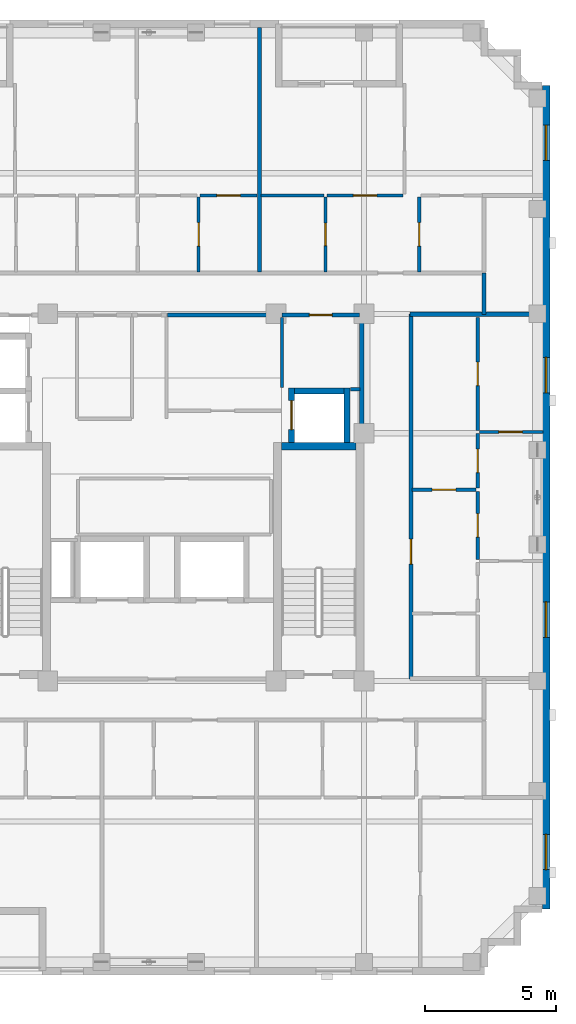
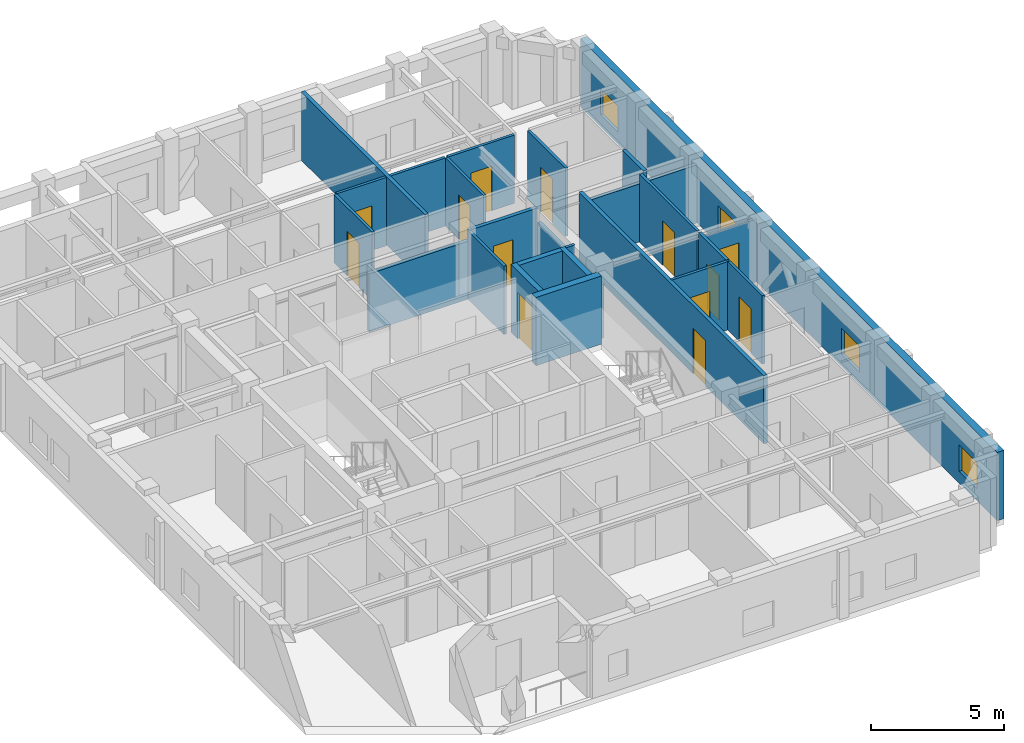
# One storey, part 6 of 11: 25 walls, 13 doors, 4 windows, 17 openings.
"""IFC4 building model written with IfcOpenShell, lengths in metres."""

from ifc_helpers import new_model, si_unit, derived_unit, direction, frame, frame_2d, origin, place, context, subcontext, project, spatial, rectangle, extrude, material, layer, layer_set, type_object, element, fill, save


model = new_model("IFC4")

# Units and contexts
model_context = context("Model", 3, precision=1e-05, world=origin(), true_north=direction((0.0, 1.0)))
body_context = subcontext(model_context, "Body", "Model", "MODEL_VIEW")
ifc_project = project(units=[si_unit("LENGTHUNIT", "METRE"), si_unit("AREAUNIT", "SQUARE_METRE"), si_unit("VOLUMEUNIT", "CUBIC_METRE"), si_unit("PLANEANGLEUNIT", "RADIAN"), si_unit("MASSUNIT", "GRAM", prefix="KILO"), derived_unit("THERMALTRANSMITTANCEUNIT", [(si_unit("MASSUNIT", "GRAM", prefix="KILO"), 1), (si_unit("TIMEUNIT", "SECOND"), -3), (si_unit("THERMODYNAMICTEMPERATUREUNIT", "KELVIN"), -1)])], contexts=[model_context])

# Site, building, storey
site_placement = place(None, origin())
site = spatial("IfcSite", under=ifc_project, at=site_placement, CompositionType="ELEMENT")
building_placement = place(site_placement, origin())
building = spatial("IfcBuilding", under=site, at=building_placement, Name="Korrvale Station Residences", CompositionType="ELEMENT")
storey_placement = place(building_placement, frame((0.0, 0.0, 247.89990234375)))
storey = spatial("IfcBuildingStorey", under=building, at=storey_placement, Name="L72", CompositionType="ELEMENT", Elevation=247.89990234375)

# Wall
ifc_material_1 = material(Name="Concrete C50/60", Category="concrete")
ifc_layer_1 = layer(ifc_material_1, 0.300048828125, Name="Concrete C50/60")
ifc_layer_set_1 = layer_set([ifc_layer_1], Name="Concrete C50/60")
wall_type_1 = type_object("IfcWallType", Name="WAL-CORE-300-C50", PredefinedType="SHEAR", material=ifc_layer_set_1)
wall_1_placement = place(storey_placement, frame((30.050048828125, 23.949951171875, 0.0), z_axis=(0.0, 0.0, 1.0), x_axis=(1.0, 0.0, 0.0)))
element("IfcWall", 1, at=wall_1_placement, inside=storey, type_object=wall_type_1, Name="L72 ST-2 Core Shear Wall North", PredefinedType="SHEAR", context=body_context, shape_type="SweptSolid", body=[
    extrude(rectangle(XDim=2.849853515625, YDim=0.300048828125, at=frame_2d((1.4248046875, 0.0))), origin(), (0.0, 0.0, 1.0), 3.14013671875),
])

# Wall, openings, windows
ifc_material_2 = material(Name="Precast concrete C45/55", Category="concrete")
ifc_layer_2 = layer(ifc_material_2, 0.300048828125, Name="Precast concrete C45/55")
ifc_layer_set_2 = layer_set([ifc_layer_2], Name="Precast concrete C45/55")
wall_type_2 = type_object("IfcWallType", Name="WAL-EXT-PC300", PredefinedType="SOLIDWALL", material=ifc_layer_set_2)
wall_2_placement = place(storey_placement, frame((40.14990234375, 37.699951171875, 0.0), z_axis=(0.0, 0.0, 1.0), x_axis=(0.0, -1.0, 0.0)))
wall_2 = element("IfcWall", 2, at=wall_2_placement, inside=storey, type_object=wall_type_2, Name="L72 East Exterior Precast Wall 1", PredefinedType="SOLIDWALL", context=body_context, shape_type="SweptSolid", body=[
    extrude(rectangle(XDim=31.39990234375, YDim=0.300048828125, at=frame_2d((15.699951171875, 0.0))), origin(), (0.0, 0.0, 1.0), 3.14013671875),
])
opening_1_placement = place(wall_2_placement, frame((28.5458984375, 0.0, 0.550048828125)))
opening_1 = element("IfcOpeningElement", 3, at=opening_1_placement, cuts=wall_2, Name="Opening W-10", PredefinedType="OPENING", context=body_context, shape_type="SweptSolid", body=[
    extrude(rectangle(XDim=1.35009765625, YDim=1.199951171875, at=frame_2d((0.675048828125, 0.60009765625))), frame((0.0, 0.16015625, 0.0), z_axis=(0.0, -1.0, 0.0), x_axis=(1.0, 0.0, 0.0)), (0.0, 0.0, 1.0), 0.320068359375),
])
opening_2_placement = place(wall_2_placement, frame((1.50390625, 0.0, 0.550048828125)))
opening_2 = element("IfcOpeningElement", 4, at=opening_2_placement, cuts=wall_2, Name="Opening W-10", PredefinedType="OPENING", context=body_context, shape_type="SweptSolid", body=[
    extrude(rectangle(XDim=1.35009765625, YDim=1.199951171875, at=frame_2d((0.675048828125, 0.60009765625))), frame((0.0, 0.16015625, 0.0), z_axis=(0.0, -1.0, 0.0), x_axis=(1.0, 0.0, 0.0)), (0.0, 0.0, 1.0), 0.320068359375),
])
opening_3_placement = place(wall_2_placement, frame((19.68310546875, 0.0, 0.550048828125)))
opening_3 = element("IfcOpeningElement", 5, at=opening_3_placement, cuts=wall_2, Name="Opening W-10", PredefinedType="OPENING", context=body_context, shape_type="SweptSolid", body=[
    extrude(rectangle(XDim=1.35009765625, YDim=1.199951171875, at=frame_2d((0.675048828125, 0.60009765625))), frame((0.0, 0.16015625, 0.0), z_axis=(0.0, -1.0, 0.0), x_axis=(1.0, 0.0, 0.0)), (0.0, 0.0, 1.0), 0.320068359375),
])
opening_4_placement = place(wall_2_placement, frame((10.366943359375, 0.0, 0.550048828125)))
opening_4 = element("IfcOpeningElement", 6, at=opening_4_placement, cuts=wall_2, Name="Opening W-10", PredefinedType="OPENING", context=body_context, shape_type="SweptSolid", body=[
    extrude(rectangle(XDim=1.35009765625, YDim=1.199951171875, at=frame_2d((0.675048828125, 0.60009765625))), frame((0.0, 0.16015625, 0.0), z_axis=(0.0, -1.0, 0.0), x_axis=(1.0, 0.0, 0.0)), (0.0, 0.0, 1.0), 0.320068359375),
])
ifc_material_3 = material(Name="Thermally broken aluminium frame with triple low-e glazing", Category="aluminium")
window_type = type_object("IfcWindowType", Name="WIN-W10", PartitioningType="SINGLE_PANEL", PredefinedType="WINDOW", material=ifc_material_3)
window_1_placement = place(opening_1_placement, origin())
window_1 = element("IfcWindow", 7, at=window_1_placement, inside=storey, type_object=window_type, Name="L72 Punched Window 05", OverallHeight=1.199951171875, OverallWidth=1.35009765625, PartitioningType="SINGLE_PANEL", PredefinedType="WINDOW", context=body_context, shape_type="SweptSolid", body=[
    extrude(rectangle(XDim=1.35009765625, YDim=1.199951171875, at=frame_2d((0.675048828125, 0.60009765625))), frame((0.0, 0.030029296875, 0.0), z_axis=(0.0, -1.0, 0.0), x_axis=(1.0, 0.0, 0.0)), (0.0, 0.0, 1.0), 0.06005859375),
])
fill(opening_1, window_1)
window_2_placement = place(opening_2_placement, origin())
window_2 = element("IfcWindow", 8, at=window_2_placement, inside=storey, type_object=window_type, Name="L72 Punched Window 11", OverallHeight=1.199951171875, OverallWidth=1.35009765625, PartitioningType="SINGLE_PANEL", PredefinedType="WINDOW", context=body_context, shape_type="SweptSolid", body=[
    extrude(rectangle(XDim=1.35009765625, YDim=1.199951171875, at=frame_2d((0.675048828125, 0.60009765625))), frame((0.0, 0.030029296875, 0.0), z_axis=(0.0, -1.0, 0.0), x_axis=(1.0, 0.0, 0.0)), (0.0, 0.0, 1.0), 0.06005859375),
])
fill(opening_2, window_2)
window_3_placement = place(opening_3_placement, origin())
window_3 = element("IfcWindow", 9, at=window_3_placement, inside=storey, type_object=window_type, Name="L72 Punched Window 16", OverallHeight=1.199951171875, OverallWidth=1.35009765625, PartitioningType="SINGLE_PANEL", PredefinedType="WINDOW", context=body_context, shape_type="SweptSolid", body=[
    extrude(rectangle(XDim=1.35009765625, YDim=1.199951171875, at=frame_2d((0.675048828125, 0.60009765625))), frame((0.0, 0.030029296875, 0.0), z_axis=(0.0, -1.0, 0.0), x_axis=(1.0, 0.0, 0.0)), (0.0, 0.0, 1.0), 0.06005859375),
])
fill(opening_3, window_3)
window_4_placement = place(opening_4_placement, origin())
window_4 = element("IfcWindow", 10, at=window_4_placement, inside=storey, type_object=window_type, Name="L72 Punched Window 17", OverallHeight=1.199951171875, OverallWidth=1.35009765625, PartitioningType="SINGLE_PANEL", PredefinedType="WINDOW", context=body_context, shape_type="SweptSolid", body=[
    extrude(rectangle(XDim=1.35009765625, YDim=1.199951171875, at=frame_2d((0.675048828125, 0.60009765625))), frame((0.0, 0.030029296875, 0.0), z_axis=(0.0, -1.0, 0.0), x_axis=(1.0, 0.0, 0.0)), (0.0, 0.0, 1.0), 0.06005859375),
])
fill(opening_4, window_4)

# Walls
ifc_material_4 = material(Name="Acoustic steel-stud gypsum board partition", Category="steel")
ifc_layer_3 = layer(ifc_material_4, 0.1201171875, Name="Acoustic steel-stud gypsum board partition")
ifc_layer_set_3 = layer_set([ifc_layer_3], Name="Acoustic steel-stud gypsum board partition")
wall_type_3 = type_object("IfcWallType", Name="WAL-PART-125", PredefinedType="PARTITIONING", material=ifc_layer_set_3)
wall_3_placement = place(storey_placement, frame((30.080078125, 26.179931640625, 0.0), z_axis=(0.0, 0.0, 1.0), x_axis=(0.0, 1.0, 0.0)))
element("IfcWall", 11, at=wall_3_placement, inside=storey, type_object=wall_type_3, Name="L72 Core Partition CW-CS-W", PredefinedType="PARTITIONING", context=body_context, shape_type="SweptSolid", body=[
    extrude(rectangle(XDim=2.68017578125, YDim=0.1201171875, at=frame_2d((1.340087890625, 0.0))), origin(), (0.0, 0.0, 1.0), 3.14013671875),
])
wall_4_placement = place(storey_placement, frame((32.679931640625, 26.1201171875, 0.0), z_axis=(0.0, 0.0, 1.0), x_axis=(1.0, 0.0, 0.0)))
element("IfcWall", 12, at=wall_4_placement, inside=storey, type_object=wall_type_3, Name="L72 Core Partition CW-CS-S", PredefinedType="PARTITIONING", context=body_context, shape_type="SweptSolid", body=[
    extrude(rectangle(XDim=0.380126953125, YDim=0.1201171875, at=frame_2d((0.18994140625, 0.0))), origin(), (0.0, 0.0, 1.0), 3.14013671875),
])

# Wall, opening, door
wall_5_placement = place(storey_placement, frame((26.89990234375, 30.60009765625, 0.0), z_axis=(0.0, 0.0, 1.0), x_axis=(0.0, 1.0, 0.0)))
wall_5 = element("IfcWall", 13, at=wall_5_placement, inside=storey, type_object=wall_type_3, Name="L72 Suite Partition U04-V45", PredefinedType="PARTITIONING", context=body_context, shape_type="SweptSolid", body=[
    extrude(rectangle(XDim=2.849853515625, YDim=0.1201171875, at=frame_2d((1.4248046875, 0.0))), origin(), (0.0, 0.0, 1.0), 3.14013671875),
])
opening_5_placement = place(wall_5_placement, frame((0.97509765625, 0.0, 0.0)))
opening_5 = element("IfcOpeningElement", 14, at=opening_5_placement, cuts=wall_5, Name="Opening DI-900", PredefinedType="OPENING", context=body_context, shape_type="SweptSolid", body=[
    extrude(rectangle(XDim=0.89990234375, YDim=2.050048828125, at=frame_2d((0.449951171875, 1.02490234375))), frame((0.0, 0.070068359375, 0.0), z_axis=(0.0, -1.0, 0.0), x_axis=(1.0, 0.0, 0.0)), (0.0, 0.0, 1.0), 0.14013671875),
])
ifc_material_5 = material(Name="Painted solid-core timber interior room door", Category="wood")
door_type_1 = type_object("IfcDoorType", Name="DR-INT-900", OperationType="NOTDEFINED", PredefinedType="DOOR", material=ifc_material_5)
door_1_placement = place(opening_5_placement, origin())
door_1 = element("IfcDoor", 15, at=door_1_placement, inside=storey, type_object=door_type_1, Name="L72 Apartment 2BR L72-U04 Wardrobe Storage Room Door", OperationType="SINGLE_SWING_LEFT", OverallHeight=2.050048828125, OverallWidth=0.89990234375, PredefinedType="DOOR", context=body_context, shape_type="SweptSolid", body=[
    extrude(rectangle(XDim=0.89990234375, YDim=2.050048828125, at=frame_2d((0.449951171875, 1.02490234375))), frame((0.0, 0.02490234375, 0.0), z_axis=(0.0, -1.0, 0.0), x_axis=(1.0, 0.0, 0.0)), (0.0, 0.0, 1.0), 0.050048828125),
])
fill(opening_5, door_1)

wall_6_placement = place(storey_placement, frame((26.9599609375, 33.510009765625, 0.0), z_axis=(0.0, 0.0, 1.0), x_axis=(1.0, 0.0, 0.0)))
wall_6 = element("IfcWall", 16, at=wall_6_placement, inside=storey, type_object=wall_type_3, Name="L72 Suite Partition U04-H59", PredefinedType="PARTITIONING", context=body_context, shape_type="SweptSolid", body=[
    extrude(rectangle(XDim=2.16015625, YDim=0.1201171875, at=frame_2d((1.080078125, 0.0))), origin(), (0.0, 0.0, 1.0), 3.14013671875),
])
opening_6_placement = place(wall_6_placement, frame((0.6298828125, 0.0, 0.0)))
opening_6 = element("IfcOpeningElement", 17, at=opening_6_placement, cuts=wall_6, Name="Opening DI-900", PredefinedType="OPENING", context=body_context, shape_type="SweptSolid", body=[
    extrude(rectangle(XDim=0.89990234375, YDim=2.050048828125, at=frame_2d((0.449951171875, 1.02490234375))), frame((0.0, 0.070068359375, 0.0), z_axis=(0.0, -1.0, 0.0), x_axis=(1.0, 0.0, 0.0)), (0.0, 0.0, 1.0), 0.14013671875),
])
door_2_placement = place(opening_6_placement, origin())
door_2 = element("IfcDoor", 18, at=door_2_placement, inside=storey, type_object=door_type_1, Name="L72 Apartment 2BR L72-U04 Utility and Laundry Room Door", OperationType="SINGLE_SWING_LEFT", OverallHeight=2.050048828125, OverallWidth=0.89990234375, PredefinedType="DOOR", context=body_context, shape_type="SweptSolid", body=[
    extrude(rectangle(XDim=0.89990234375, YDim=2.050048828125, at=frame_2d((0.449951171875, 1.02490234375))), frame((0.0, 0.02490234375, 0.0), z_axis=(0.0, -1.0, 0.0), x_axis=(1.0, 0.0, 0.0)), (0.0, 0.0, 1.0), 0.050048828125),
])
fill(opening_6, door_2)

wall_7_placement = place(storey_placement, frame((31.739990234375, 30.60009765625, 0.0), z_axis=(0.0, 0.0, 1.0), x_axis=(0.0, 1.0, 0.0)))
wall_7 = element("IfcWall", 19, at=wall_7_placement, inside=storey, type_object=wall_type_3, Name="L72 Suite Partition U05-V01", PredefinedType="PARTITIONING", context=body_context, shape_type="SweptSolid", body=[
    extrude(rectangle(XDim=2.849853515625, YDim=0.1201171875, at=frame_2d((1.4248046875, 0.0))), origin(), (0.0, 0.0, 1.0), 3.14013671875),
])
opening_7_placement = place(wall_7_placement, frame((0.9951171875, 0.0, 0.0)))
opening_7 = element("IfcOpeningElement", 20, at=opening_7_placement, cuts=wall_7, Name="Opening DB-860", PredefinedType="OPENING", context=body_context, shape_type="SweptSolid", body=[
    extrude(rectangle(XDim=0.860107421875, YDim=2.050048828125, at=frame_2d((0.43017578125, 1.02490234375))), frame((0.0, 0.070068359375, 0.0), z_axis=(0.0, -1.0, 0.0), x_axis=(1.0, 0.0, 0.0)), (0.0, 0.0, 1.0), 0.14013671875),
])
ifc_material_6 = material(Name="Moisture-resistant solid-core bathroom door", Category="timber")
door_type_2 = type_object("IfcDoorType", Name="DR-BATH-860", OperationType="NOTDEFINED", PredefinedType="DOOR", material=ifc_material_6)
door_3_placement = place(opening_7_placement, origin())
door_3 = element("IfcDoor", 21, at=door_3_placement, inside=storey, type_object=door_type_2, Name="L72 Apartment 1BR L72-U05 Bathroom Door", OperationType="SINGLE_SWING_LEFT", OverallHeight=2.050048828125, OverallWidth=0.860107421875, PredefinedType="DOOR", context=body_context, shape_type="SweptSolid", body=[
    extrude(rectangle(XDim=0.860107421875, YDim=2.050048828125, at=frame_2d((0.43017578125, 1.02490234375))), frame((0.0, 0.02490234375, 0.0), z_axis=(0.0, -1.0, 0.0), x_axis=(1.0, 0.0, 0.0)), (0.0, 0.0, 1.0), 0.050048828125),
])
fill(opening_7, door_3)

# Wall
wall_8_placement = place(storey_placement, frame((29.280029296875, 33.510009765625, 0.0), z_axis=(0.0, 0.0, 1.0), x_axis=(1.0, 0.0, 0.0)))
element("IfcWall", 22, at=wall_8_placement, inside=storey, type_object=wall_type_3, Name="L72 Suite Partition U05-H03", PredefinedType="PARTITIONING", context=body_context, shape_type="SweptSolid", body=[
    extrude(rectangle(XDim=2.39990234375, YDim=0.1201171875, at=frame_2d((1.199951171875, 0.0))), origin(), (0.0, 0.0, 1.0), 3.14013671875),
])

# Wall, opening, door
wall_9_placement = place(storey_placement, frame((35.31005859375, 30.60009765625, 0.0), z_axis=(0.0, 0.0, 1.0), x_axis=(0.0, 1.0, 0.0)))
wall_9 = element("IfcWall", 23, at=wall_9_placement, inside=storey, type_object=wall_type_3, Name="L72 Suite Partition U05-V12", PredefinedType="PARTITIONING", context=body_context, shape_type="SweptSolid", body=[
    extrude(rectangle(XDim=2.849853515625, YDim=0.1201171875, at=frame_2d((1.4248046875, 0.0))), origin(), (0.0, 0.0, 1.0), 3.14013671875),
])
opening_8_placement = place(wall_9_placement, frame((0.97509765625, 0.0, 0.0)))
opening_8 = element("IfcOpeningElement", 24, at=opening_8_placement, cuts=wall_9, Name="Opening DI-900", PredefinedType="OPENING", context=body_context, shape_type="SweptSolid", body=[
    extrude(rectangle(XDim=0.89990234375, YDim=2.050048828125, at=frame_2d((0.449951171875, 1.02490234375))), frame((0.0, 0.070068359375, 0.0), z_axis=(0.0, -1.0, 0.0), x_axis=(1.0, 0.0, 0.0)), (0.0, 0.0, 1.0), 0.14013671875),
])
door_4_placement = place(opening_8_placement, origin())
door_4 = element("IfcDoor", 25, at=door_4_placement, inside=storey, type_object=door_type_1, Name="L72 Apartment 1BR L72-U05 Kitchen Door", OperationType="SINGLE_SWING_RIGHT", OverallHeight=2.050048828125, OverallWidth=0.89990234375, PredefinedType="DOOR", context=body_context, shape_type="SweptSolid", body=[
    extrude(rectangle(XDim=0.89990234375, YDim=2.050048828125, at=frame_2d((0.449951171875, 1.02490234375))), frame((0.0, 0.02490234375, 0.0), z_axis=(0.0, -1.0, 0.0), x_axis=(1.0, 0.0, 0.0)), (0.0, 0.0, 1.0), 0.050048828125),
])
fill(opening_8, door_4)

wall_10_placement = place(storey_placement, frame((31.800048828125, 33.510009765625, 0.0), z_axis=(0.0, 0.0, 1.0), x_axis=(1.0, 0.0, 0.0)))
wall_10 = element("IfcWall", 26, at=wall_10_placement, inside=storey, type_object=wall_type_3, Name="L72 Suite Partition U05-H13", PredefinedType="PARTITIONING", context=body_context, shape_type="SweptSolid", body=[
    extrude(rectangle(XDim=2.889892578125, YDim=0.1201171875, at=frame_2d((1.44482421875, 0.0))), origin(), (0.0, 0.0, 1.0), 3.14013671875),
])
opening_9_placement = place(wall_10_placement, frame((0.9951171875, 0.0, 0.0)))
opening_9 = element("IfcOpeningElement", 27, at=opening_9_placement, cuts=wall_10, Name="Opening DI-900", PredefinedType="OPENING", context=body_context, shape_type="SweptSolid", body=[
    extrude(rectangle(XDim=0.89990234375, YDim=2.050048828125, at=frame_2d((0.449951171875, 1.02490234375))), frame((0.0, 0.070068359375, 0.0), z_axis=(0.0, -1.0, 0.0), x_axis=(1.0, 0.0, 0.0)), (0.0, 0.0, 1.0), 0.14013671875),
])
door_5_placement = place(opening_9_placement, origin())
door_5 = element("IfcDoor", 28, at=door_5_placement, inside=storey, type_object=door_type_1, Name="L72 Apartment 1BR L72-U05 Kitchen Door", OperationType="SINGLE_SWING_LEFT", OverallHeight=2.050048828125, OverallWidth=0.89990234375, PredefinedType="DOOR", context=body_context, shape_type="SweptSolid", body=[
    extrude(rectangle(XDim=0.89990234375, YDim=2.050048828125, at=frame_2d((0.449951171875, 1.02490234375))), frame((0.0, 0.02490234375, 0.0), z_axis=(0.0, -1.0, 0.0), x_axis=(1.0, 0.0, 0.0)), (0.0, 0.0, 1.0), 0.050048828125),
])
fill(opening_9, door_5)

wall_11_placement = place(storey_placement, frame((35.030029296875, 22.2900390625, 0.0), z_axis=(0.0, 0.0, 1.0), x_axis=(1.0, 0.0, 0.0)))
wall_11 = element("IfcWall", 29, at=wall_11_placement, inside=storey, type_object=wall_type_3, Name="L72 Suite Partition U08-H02", PredefinedType="PARTITIONING", context=body_context, shape_type="SweptSolid", body=[
    extrude(rectangle(XDim=2.449951171875, YDim=0.1201171875, at=frame_2d((1.22509765625, 0.0))), origin(), (0.0, 0.0, 1.0), 3.14013671875),
])
opening_10_placement = place(wall_11_placement, frame((0.77490234375, 0.0, 0.0)))
opening_10 = element("IfcOpeningElement", 30, at=opening_10_placement, cuts=wall_11, Name="Opening DI-900", PredefinedType="OPENING", context=body_context, shape_type="SweptSolid", body=[
    extrude(rectangle(XDim=0.89990234375, YDim=2.050048828125, at=frame_2d((0.449951171875, 1.02490234375))), frame((0.0, 0.070068359375, 0.0), z_axis=(0.0, -1.0, 0.0), x_axis=(1.0, 0.0, 0.0)), (0.0, 0.0, 1.0), 0.14013671875),
])
door_6_placement = place(opening_10_placement, origin())
door_6 = element("IfcDoor", 31, at=door_6_placement, inside=storey, type_object=door_type_1, Name="L72 Apartment 2BR L72-U08 Wardrobe Storage Room Door", OperationType="SINGLE_SWING_RIGHT", OverallHeight=2.050048828125, OverallWidth=0.89990234375, PredefinedType="DOOR", context=body_context, shape_type="SweptSolid", body=[
    extrude(rectangle(XDim=0.89990234375, YDim=2.050048828125, at=frame_2d((0.449951171875, 1.02490234375))), frame((0.0, 0.02490234375, 0.0), z_axis=(0.0, -1.0, 0.0), x_axis=(1.0, 0.0, 0.0)), (0.0, 0.0, 1.0), 0.050048828125),
])
fill(opening_10, door_6)

wall_12_placement = place(storey_placement, frame((37.5400390625, 22.35009765625, 0.0), z_axis=(0.0, 0.0, 1.0), x_axis=(0.0, 1.0, 0.0)))
wall_12 = element("IfcWall", 32, at=wall_12_placement, inside=storey, type_object=wall_type_3, Name="L72 Suite Partition U08-V04", PredefinedType="PARTITIONING", context=body_context, shape_type="SweptSolid", body=[
    extrude(rectangle(XDim=2.081787109375, YDim=0.1201171875, at=frame_2d((1.041015625, 0.0))), origin(), (0.0, 0.0, 1.0), 3.14013671875),
])
opening_11_placement = place(wall_12_placement, frame((0.591064453125, 0.0, 0.0)))
opening_11 = element("IfcOpeningElement", 33, at=opening_11_placement, cuts=wall_12, Name="Opening DI-900", PredefinedType="OPENING", context=body_context, shape_type="SweptSolid", body=[
    extrude(rectangle(XDim=0.89990234375, YDim=2.050048828125, at=frame_2d((0.449951171875, 1.02490234375))), frame((0.0, 0.070068359375, 0.0), z_axis=(0.0, -1.0, 0.0), x_axis=(1.0, 0.0, 0.0)), (0.0, 0.0, 1.0), 0.14013671875),
])
door_7_placement = place(opening_11_placement, origin())
door_7 = element("IfcDoor", 34, at=door_7_placement, inside=storey, type_object=door_type_1, Name="L72 Apartment 2BR L72-U08 Wardrobe Storage Room Door", OperationType="SINGLE_SWING_LEFT", OverallHeight=2.050048828125, OverallWidth=0.89990234375, PredefinedType="DOOR", context=body_context, shape_type="SweptSolid", body=[
    extrude(rectangle(XDim=0.89990234375, YDim=2.050048828125, at=frame_2d((0.449951171875, 1.02490234375))), frame((0.0, 0.02490234375, 0.0), z_axis=(0.0, -1.0, 0.0), x_axis=(1.0, 0.0, 0.0)), (0.0, 0.0, 1.0), 0.050048828125),
])
fill(opening_11, door_7)

wall_13_placement = place(storey_placement, frame((37.5400390625, 24.552001953125, 0.0), z_axis=(0.0, 0.0, 1.0), x_axis=(0.0, 1.0, 0.0)))
wall_13 = element("IfcWall", 35, at=wall_13_placement, inside=storey, type_object=wall_type_3, Name="L72 Suite Partition U08-V05", PredefinedType="PARTITIONING", context=body_context, shape_type="SweptSolid", body=[
    extrude(rectangle(XDim=4.30810546875, YDim=0.1201171875, at=frame_2d((2.154052734375, 0.0))), origin(), (0.0, 0.0, 1.0), 3.14013671875),
])
opening_12_placement = place(wall_13_placement, frame((1.7041015625, 0.0, 0.0)))
opening_12 = element("IfcOpeningElement", 36, at=opening_12_placement, cuts=wall_13, Name="Opening DI-900", PredefinedType="OPENING", context=body_context, shape_type="SweptSolid", body=[
    extrude(rectangle(XDim=0.89990234375, YDim=2.050048828125, at=frame_2d((0.449951171875, 1.02490234375))), frame((0.0, 0.070068359375, 0.0), z_axis=(0.0, -1.0, 0.0), x_axis=(1.0, 0.0, 0.0)), (0.0, 0.0, 1.0), 0.14013671875),
])
door_8_placement = place(opening_12_placement, origin())
door_8 = element("IfcDoor", 37, at=door_8_placement, inside=storey, type_object=door_type_1, Name="L72 Apartment 2BR L72-U08 Wardrobe Storage Room Door", OperationType="SINGLE_SWING_RIGHT", OverallHeight=2.050048828125, OverallWidth=0.89990234375, PredefinedType="DOOR", context=body_context, shape_type="SweptSolid", body=[
    extrude(rectangle(XDim=0.89990234375, YDim=2.050048828125, at=frame_2d((0.449951171875, 1.02490234375))), frame((0.0, 0.02490234375, 0.0), z_axis=(0.0, -1.0, 0.0), x_axis=(1.0, 0.0, 0.0)), (0.0, 0.0, 1.0), 0.050048828125),
])
fill(opening_12, door_8)

wall_14_placement = place(storey_placement, frame((37.5400390625, 19.637939453125, 0.0), z_axis=(0.0, 0.0, 1.0), x_axis=(0.0, 1.0, 0.0)))
wall_14 = element("IfcWall", 38, at=wall_14_placement, inside=storey, type_object=wall_type_3, Name="L72 Suite Partition U08-V24", PredefinedType="PARTITIONING", context=body_context, shape_type="SweptSolid", body=[
    extrude(rectangle(XDim=2.592041015625, YDim=0.1201171875, at=frame_2d((1.2958984375, 0.0))), origin(), (0.0, 0.0, 1.0), 3.14013671875),
])
opening_13_placement = place(wall_14_placement, frame((0.845947265625, 0.0, 0.0)))
opening_13 = element("IfcOpeningElement", 39, at=opening_13_placement, cuts=wall_14, Name="Opening DI-900", PredefinedType="OPENING", context=body_context, shape_type="SweptSolid", body=[
    extrude(rectangle(XDim=0.89990234375, YDim=2.050048828125, at=frame_2d((0.449951171875, 1.02490234375))), frame((0.0, 0.070068359375, 0.0), z_axis=(0.0, -1.0, 0.0), x_axis=(1.0, 0.0, 0.0)), (0.0, 0.0, 1.0), 0.14013671875),
])
door_9_placement = place(opening_13_placement, origin())
door_9 = element("IfcDoor", 40, at=door_9_placement, inside=storey, type_object=door_type_1, Name="L72 Apartment 2BR L72-U08 Kitchen Door", OperationType="SINGLE_SWING_LEFT", OverallHeight=2.050048828125, OverallWidth=0.89990234375, PredefinedType="DOOR", context=body_context, shape_type="SweptSolid", body=[
    extrude(rectangle(XDim=0.89990234375, YDim=2.050048828125, at=frame_2d((0.449951171875, 1.02490234375))), frame((0.0, 0.02490234375, 0.0), z_axis=(0.0, -1.0, 0.0), x_axis=(1.0, 0.0, 0.0)), (0.0, 0.0, 1.0), 0.050048828125),
])
fill(opening_13, door_9)

wall_15_placement = place(storey_placement, frame((37.60009765625, 24.491943359375, 0.0), z_axis=(0.0, 0.0, 1.0), x_axis=(1.0, 0.0, 0.0)))
wall_15 = element("IfcWall", 41, at=wall_15_placement, inside=storey, type_object=wall_type_3, Name="L72 Suite Partition U08-H45", PredefinedType="PARTITIONING", context=body_context, shape_type="SweptSolid", body=[
    extrude(rectangle(XDim=2.419921875, YDim=0.1201171875, at=frame_2d((1.2099609375, 0.0))), origin(), (0.0, 0.0, 1.0), 2.878173828125),
])
opening_14_placement = place(wall_15_placement, frame((0.7451171875, 0.0, 0.0)))
opening_14 = element("IfcOpeningElement", 42, at=opening_14_placement, cuts=wall_15, Name="Opening DI-900", PredefinedType="OPENING", context=body_context, shape_type="SweptSolid", body=[
    extrude(rectangle(XDim=0.89990234375, YDim=2.050048828125, at=frame_2d((0.449951171875, 1.02490234375))), frame((0.0, 0.070068359375, 0.0), z_axis=(0.0, -1.0, 0.0), x_axis=(1.0, 0.0, 0.0)), (0.0, 0.0, 1.0), 0.14013671875),
])
door_10_placement = place(opening_14_placement, origin())
door_10 = element("IfcDoor", 43, at=door_10_placement, inside=storey, type_object=door_type_1, Name="L72 Apartment 2BR L72-U08 Living and Dining Room Door", OperationType="SINGLE_SWING_LEFT", OverallHeight=2.050048828125, OverallWidth=0.89990234375, PredefinedType="DOOR", context=body_context, shape_type="SweptSolid", body=[
    extrude(rectangle(XDim=0.89990234375, YDim=2.050048828125, at=frame_2d((0.449951171875, 1.02490234375))), frame((0.0, 0.02490234375, 0.0), z_axis=(0.0, -1.0, 0.0), x_axis=(1.0, 0.0, 0.0)), (0.0, 0.0, 1.0), 0.050048828125),
])
fill(opening_14, door_10)

# Wall
ifc_material_7 = material(Name="Fire-rated twin-stud gypsum and mineral wool shaftwall assembly", Category="gypsum")
ifc_layer_4 = layer(ifc_material_7, 0.159912109375, Name="Fire-rated twin-stud gypsum and mineral wool shaftwall assembly")
ifc_layer_set_4 = layer_set([ifc_layer_4], Name="Fire-rated twin-stud gypsum and mineral wool shaftwall assembly")
wall_type_4 = type_object("IfcWallType", Name="WAL-PART-200", PredefinedType="PARTITIONING", material=ifc_layer_set_4)
wall_16_placement = place(storey_placement, frame((33.1201171875, 24.1201171875, 0.0), z_axis=(0.0, 0.0, 1.0), x_axis=(0.0, 1.0, 0.0)))
element("IfcWall", 44, at=wall_16_placement, inside=storey, type_object=wall_type_4, Name="L72 Core Partition CW-E-N", PredefinedType="PARTITIONING", context=body_context, shape_type="SweptSolid", body=[
    extrude(rectangle(XDim=4.759765625, YDim=0.159912109375, at=frame_2d((2.3798828125, 0.0))), origin(), (0.0, 0.0, 1.0), 2.47509765625),
])

# Wall, opening, door
wall_17_placement = place(storey_placement, frame((30.080078125, 28.949951171875, 0.0), z_axis=(0.0, 0.0, 1.0), x_axis=(1.0, 0.0, 0.0)))
wall_17 = element("IfcWall", 45, at=wall_17_placement, inside=storey, type_object=wall_type_4, Name="L72 Core Partition CW-CS-N", PredefinedType="PARTITIONING", context=body_context, shape_type="SweptSolid", body=[
    extrude(rectangle(XDim=2.9599609375, YDim=0.159912109375, at=frame_2d((1.47998046875, 0.0))), origin(), (0.0, 0.0, 1.0), 3.14013671875),
])
opening_15_placement = place(wall_17_placement, frame((1.044921875, 0.0, 0.0)))
opening_15 = element("IfcOpeningElement", 46, at=opening_15_placement, cuts=wall_17, Name="Opening DB-860", PredefinedType="OPENING", context=body_context, shape_type="SweptSolid", body=[
    extrude(rectangle(XDim=0.860107421875, YDim=2.050048828125, at=frame_2d((0.43017578125, 1.02490234375))), frame((0.0, 0.08984375, 0.0), z_axis=(0.0, -1.0, 0.0), x_axis=(1.0, 0.0, 0.0)), (0.0, 0.0, 1.0), 0.179931640625),
])
door_11_placement = place(opening_15_placement, origin())
door_11 = element("IfcDoor", 47, at=door_11_placement, inside=storey, type_object=door_type_2, Name="L72 Parcel Room Door", OperationType="SINGLE_SWING_LEFT", OverallHeight=2.050048828125, OverallWidth=0.860107421875, PredefinedType="DOOR", context=body_context, shape_type="SweptSolid", body=[
    extrude(rectangle(XDim=0.860107421875, YDim=2.050048828125, at=frame_2d((0.43017578125, 1.02490234375))), frame((0.0, 0.02490234375, 0.0), z_axis=(0.0, -1.0, 0.0), x_axis=(1.0, 0.0, 0.0)), (0.0, 0.0, 1.0), 0.050048828125),
])
fill(opening_15, door_11)

# Walls
wall_18_placement = place(storey_placement, frame((25.719970703125, 28.949951171875, 0.0), z_axis=(0.0, 0.0, 1.0), x_axis=(1.0, 0.0, 0.0)))
element("IfcWall", 48, at=wall_18_placement, inside=storey, type_object=wall_type_4, Name="L72 Core Partition CW-FPLE-N", PredefinedType="PARTITIONING", context=body_context, shape_type="SweptSolid", body=[
    extrude(rectangle(XDim=4.320068359375, YDim=0.159912109375, at=frame_2d((2.16015625, 0.0))), origin(), (0.0, 0.0, 1.0), 2.668212890625),
])
wall_19_placement = place(storey_placement, frame((37.780029296875, 28.97998046875, 0.0), z_axis=(0.0, 0.0, 1.0), x_axis=(0.0, 1.0, 0.0)))
element("IfcWall", 49, at=wall_19_placement, inside=storey, type_object=wall_type_4, Name="L72 Corridor North East Cap", PredefinedType="PARTITIONING", context=body_context, shape_type="SweptSolid", body=[
    extrude(rectangle(XDim=1.580078125, YDim=0.159912109375, at=frame_2d((0.7900390625, 0.0))), origin(), (0.0, 0.0, 1.0), 3.14013671875),
])
wall_20_placement = place(storey_placement, frame((34.949951171875, 28.97998046875, 0.0), z_axis=(0.0, 0.0, 1.0), x_axis=(1.0, 0.0, 0.0)))
element("IfcWall", 50, at=wall_20_placement, inside=storey, type_object=wall_type_4, Name="L72 East Wing North Corridor Wall", PredefinedType="PARTITIONING", context=body_context, shape_type="SweptSolid", body=[
    extrude(rectangle(XDim=5.070068359375, YDim=0.159912109375, at=frame_2d((2.53515625, 0.0))), origin(), (0.0, 0.0, 1.0), 2.668212890625),
])
wall_21_placement = place(storey_placement, frame((29.219970703125, 30.60009765625, 0.0), z_axis=(0.0, 0.0, 1.0), x_axis=(0.0, 1.0, 0.0)))
element("IfcWall", 51, at=wall_21_placement, inside=storey, type_object=wall_type_4, Name="L72 Demising Wall U05-W", PredefinedType="PARTITIONING", context=body_context, shape_type="SweptSolid", body=[
    extrude(rectangle(XDim=9.31982421875, YDim=0.159912109375, at=frame_2d((4.659912109375, 0.0))), origin(), (0.0, 0.0, 1.0), 3.14013671875),
])

# Wall, opening, door
wall_22_placement = place(storey_placement, frame((34.989990234375, 15.070068359375, 0.0), z_axis=(0.0, 0.0, 1.0), x_axis=(0.0, 1.0, 0.0)))
wall_22 = element("IfcWall", 52, at=wall_22_placement, inside=storey, type_object=wall_type_4, Name="L72 Rated Corridor Wall E", PredefinedType="PARTITIONING", context=body_context, shape_type="SweptSolid", body=[
    extrude(rectangle(XDim=13.929931640625, YDim=0.159912109375, at=frame_2d((6.96484375, 0.0))), origin(), (0.0, 0.0, 1.0), 3.14013671875),
])
opening_16_placement = place(wall_22_placement, frame((4.385009765625, 0.0, 0.0)))
opening_16 = element("IfcOpeningElement", 53, at=opening_16_placement, cuts=wall_22, Name="Opening UD-950", PredefinedType="OPENING", context=body_context, shape_type="SweptSolid", body=[
    extrude(rectangle(XDim=0.949951171875, YDim=2.10009765625, at=frame_2d((0.47509765625, 1.050048828125))), frame((0.0, 0.08984375, 0.0), z_axis=(0.0, -1.0, 0.0), x_axis=(1.0, 0.0, 0.0)), (0.0, 0.0, 1.0), 0.179931640625),
])
ifc_material_8 = material(Name="Solid-core acoustic oak apartment entrance door", Category="timber")
door_type_3 = type_object("IfcDoorType", Name="DR-UNIT-950", OperationType="NOTDEFINED", PredefinedType="DOOR", material=ifc_material_8)
door_12_placement = place(opening_16_placement, origin())
door_12 = element("IfcDoor", 54, at=door_12_placement, inside=storey, type_object=door_type_3, Name="L72 Apartment L72-U08 Entrance Door", OperationType="SINGLE_SWING_LEFT", OverallHeight=2.10009765625, OverallWidth=0.949951171875, PredefinedType="DOOR", context=body_context, shape_type="SweptSolid", body=[
    extrude(rectangle(XDim=0.949951171875, YDim=2.10009765625, at=frame_2d((0.47509765625, 1.050048828125))), frame((0.0, 0.02490234375, 0.0), z_axis=(0.0, -1.0, 0.0), x_axis=(1.0, 0.0, 0.0)), (0.0, 0.0, 1.0), 0.050048828125),
])
fill(opening_16, door_12)

# Wall
ifc_layer_5 = layer(ifc_material_1, 0.219970703125, Name="Concrete C50/60")
ifc_layer_set_5 = layer_set([ifc_layer_5], Name="Concrete C50/60")
wall_type_5 = type_object("IfcWallType", Name="WAL-SHAFT-220-C50", PredefinedType="SHEAR", material=ifc_layer_set_5)
wall_23_placement = place(storey_placement, frame((30.550048828125, 26.06005859375, 0.0), z_axis=(0.0, 0.0, 1.0), x_axis=(1.0, 0.0, 0.0)))
element("IfcWall", 55, at=wall_23_placement, inside=storey, type_object=wall_type_5, Name="L72 Elevator PH-3 Hoistway Wall North", PredefinedType="SHEAR", context=body_context, shape_type="SweptSolid", body=[
    extrude(rectangle(XDim=1.89990234375, YDim=0.219970703125, at=frame_2d((0.949951171875, 0.0))), origin(), (0.0, 0.0, 1.0), 3.14013671875),
])

# Wall, opening, door
wall_24_placement = place(storey_placement, frame((30.43994140625, 24.10009765625, 0.0), z_axis=(0.0, 0.0, 1.0), x_axis=(0.0, 1.0, 0.0)))
wall_24 = element("IfcWall", 56, at=wall_24_placement, inside=storey, type_object=wall_type_5, Name="L72 Elevator PH-3 Hoistway Wall West", PredefinedType="SHEAR", context=body_context, shape_type="SweptSolid", body=[
    extrude(rectangle(XDim=2.06982421875, YDim=0.219970703125, at=frame_2d((1.034912109375, 0.0))), origin(), (0.0, 0.0, 1.0), 3.14013671875),
])
opening_17_placement = place(wall_24_placement, frame((0.485107421875, 0.0, 0.0)))
opening_17 = element("IfcOpeningElement", 57, at=opening_17_placement, cuts=wall_24, Name="Opening LD-1100", PredefinedType="OPENING", context=body_context, shape_type="SweptSolid", body=[
    extrude(rectangle(XDim=1.10009765625, YDim=2.14990234375, at=frame_2d((0.550048828125, 1.074951171875))), frame((0.0, 0.1201171875, 0.0), z_axis=(0.0, -1.0, 0.0), x_axis=(1.0, 0.0, 0.0)), (0.0, 0.0, 1.0), 0.239990234375),
])
ifc_material_9 = material(Name="Brushed stainless-steel elevator landing sliding door", Category="steel")
door_type_4 = type_object("IfcDoorType", Name="DR-LIFT-1100", OperationType="SLIDING_TO_LEFT", PredefinedType="DOOR", material=ifc_material_9)
door_13_placement = place(opening_17_placement, origin())
door_13 = element("IfcDoor", 58, at=door_13_placement, inside=storey, type_object=door_type_4, Name="L72 Elevator PH-3 Sliding Landing Door", OperationType="SLIDING_TO_LEFT", OverallHeight=2.14990234375, OverallWidth=1.10009765625, PredefinedType="DOOR", context=body_context, shape_type="SweptSolid", body=[
    extrude(rectangle(XDim=1.10009765625, YDim=2.14990234375, at=frame_2d((0.550048828125, 1.074951171875))), frame((0.0, 0.02490234375, 0.0), z_axis=(0.0, -1.0, 0.0), x_axis=(1.0, 0.0, 0.0)), (0.0, 0.0, 1.0), 0.050048828125),
])
fill(opening_17, door_13)

# Wall
wall_25_placement = place(storey_placement, frame((32.56005859375, 24.10009765625, 0.0), z_axis=(0.0, 0.0, 1.0), x_axis=(0.0, 1.0, 0.0)))
element("IfcWall", 59, at=wall_25_placement, inside=storey, type_object=wall_type_5, Name="L72 Elevator PH-3 Hoistway Wall East", PredefinedType="SHEAR", context=body_context, shape_type="SweptSolid", body=[
    extrude(rectangle(XDim=2.06982421875, YDim=0.219970703125, at=frame_2d((1.034912109375, 0.0))), origin(), (0.0, 0.0, 1.0), 3.14013671875),
])

save(model, "model.ifc")
